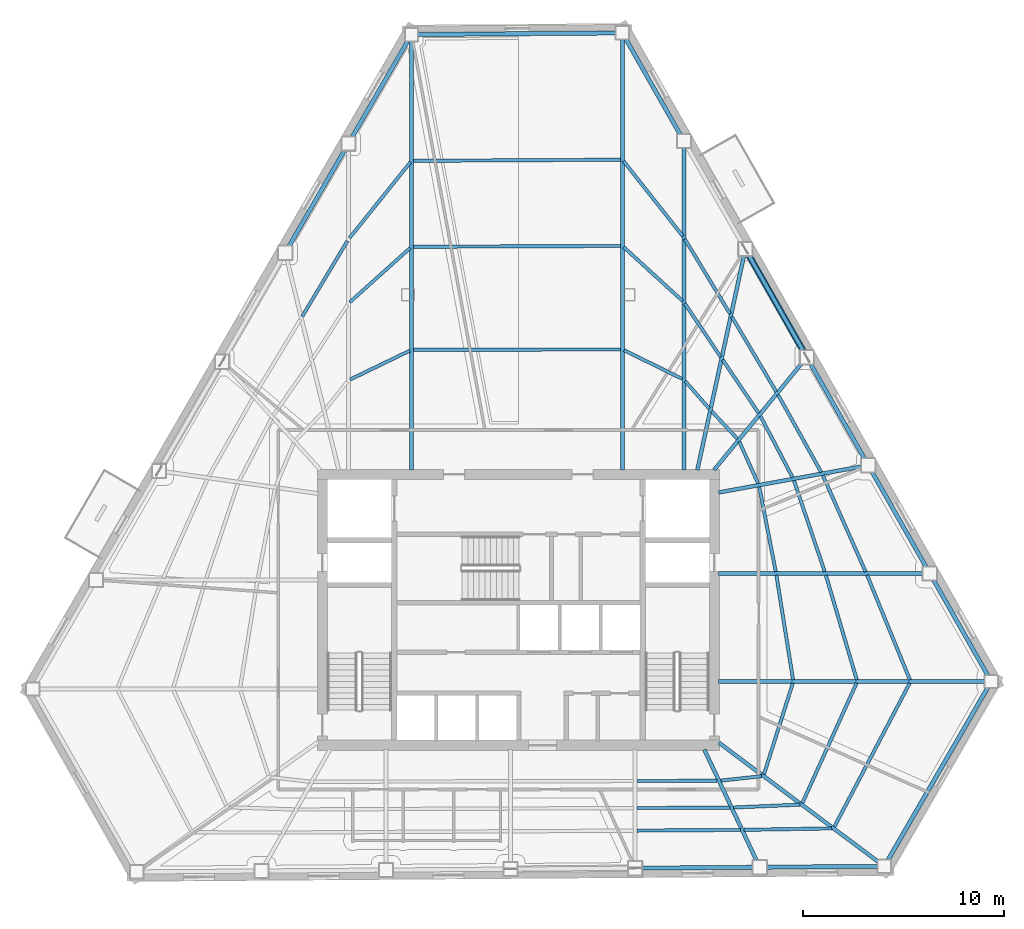
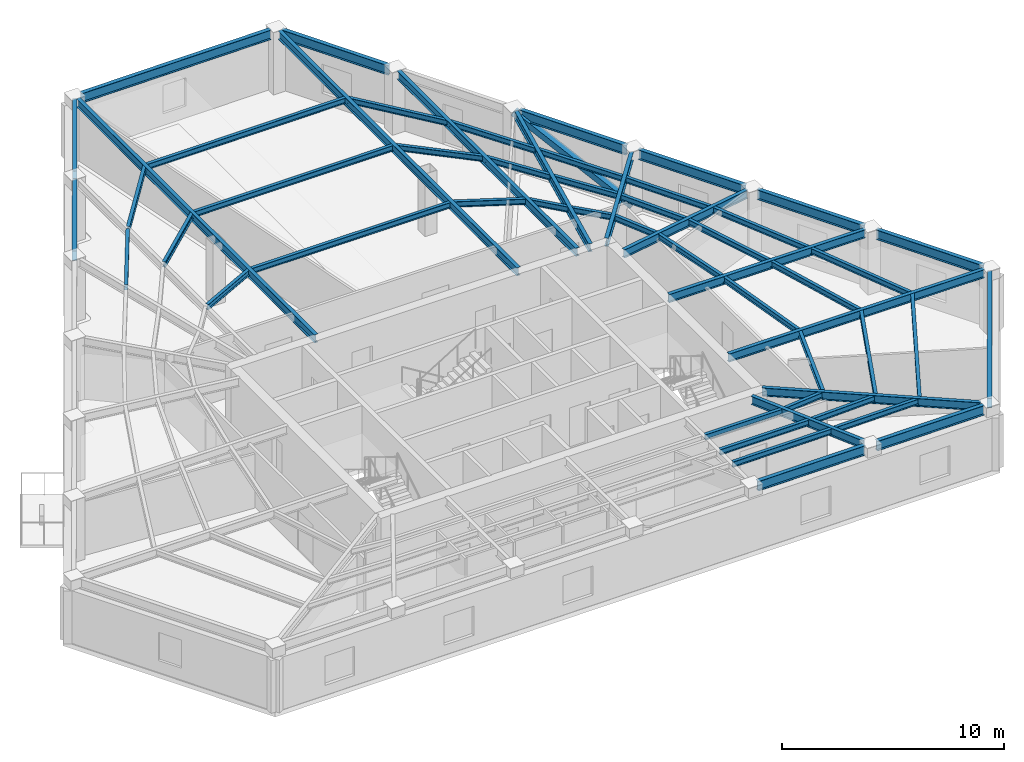
# One storey, part 2 of 10: 55 beams, 1 member.
"""IFC4 building model written with IfcOpenShell, lengths in metres."""

from ifc_helpers import new_model, si_unit, direction, frame, origin, origin_2d, place, context, subcontext, project, spatial, hollow_rectangle, i_section, extrude, material, material_profile, profile_set, type_object, element, save


model = new_model("IFC4")

# Units and contexts
model_context = context("Model", 3, precision=1e-05, world=origin(), true_north=direction((0.0, 1.0)))
body_context = subcontext(model_context, "Body", "Model", "MODEL_VIEW")
ifc_project = project(units=[si_unit("LENGTHUNIT", "METRE"), si_unit("AREAUNIT", "SQUARE_METRE"), si_unit("VOLUMEUNIT", "CUBIC_METRE"), si_unit("PLANEANGLEUNIT", "RADIAN"), si_unit("MASSUNIT", "GRAM", prefix="KILO")], contexts=[model_context])

# Site, building, storey
site_placement = place(None, origin())
site = spatial("IfcSite", under=ifc_project, at=site_placement, CompositionType="ELEMENT")
building_placement = place(site_placement, origin())
building = spatial("IfcBuilding", under=site, at=building_placement, Name="Kavelnor Concourse Tower", CompositionType="ELEMENT")
storey_placement = place(building_placement, frame((0.0, 0.0, 150.949951171875)))
storey = spatial("IfcBuildingStorey", under=building, at=storey_placement, Name="L38", CompositionType="ELEMENT", Elevation=150.949951171875)

# Beams
ifc_material = material(Name="Steel Grade 350", Category="steel")
ifc_material_profile_1 = material_profile(ifc_material, i_section(OverallWidth=0.166015625, OverallDepth=0.306884765625, WebThickness=0.006591796875, FlangeThickness=0.01171875, at=origin_2d()), Name="310UB46")
ifc_profile_set_1 = profile_set([ifc_material_profile_1], Name="Steel Grade 350")
beam_type_1 = type_object("IfcBeamType", Name="BM-JOIST-310", PredefinedType="JOIST", material=ifc_profile_set_1)
beam_1_placement = place(storey_placement, frame((43.905029296875, 7.568115234375, 3.276611328125), z_axis=(0.999996230926, 0.002745566223, 0.0), x_axis=(-0.002745566223, 0.999996230926, 0.0)))
element("IfcBeam", 1, at=beam_1_placement, inside=storey, type_object=beam_type_1, Name="L38 Secondary Composite Joist 06-1", PredefinedType="JOIST", context=body_context, shape_type="SweptSolid", body=[
    extrude(i_section(OverallWidth=0.166015625, OverallDepth=0.306884765625, WebThickness=0.006591796875, FlangeThickness=0.01171875, at=origin_2d()), origin(), (0.0, 0.0, 1.0), 4.00146484375),
])
beam_2_placement = place(storey_placement, frame((43.905029296875, 6.220703125, 3.276611328125), z_axis=(0.999986918876, 0.005114887742, 0.0), x_axis=(-0.005114887742, 0.999986918876, 0.0)))
element("IfcBeam", 2, at=beam_2_placement, inside=storey, type_object=beam_type_1, Name="L38 Secondary Composite Joist 06-2", PredefinedType="JOIST", context=body_context, shape_type="SweptSolid", body=[
    extrude(i_section(OverallWidth=0.166015625, OverallDepth=0.306884765625, WebThickness=0.006591796875, FlangeThickness=0.01171875, at=origin_2d()), origin(), (0.0, 0.0, 1.0), 4.6298828125),
])
beam_3_placement = place(storey_placement, frame((43.905029296875, 5.097900390625, 3.276611328125), z_axis=(0.999978007407, 0.006632096311, 0.0), x_axis=(-0.006632096311, 0.999978007407, 0.0)))
element("IfcBeam", 3, at=beam_3_placement, inside=storey, type_object=beam_type_1, Name="L38 Secondary Composite Joist 06-3", PredefinedType="JOIST", context=body_context, shape_type="SweptSolid", body=[
    extrude(i_section(OverallWidth=0.166015625, OverallDepth=0.306884765625, WebThickness=0.006591796875, FlangeThickness=0.01171875, at=origin_2d()), origin(), (0.0, 0.0, 1.0), 5.153564453125),
])
beam_4_placement = place(storey_placement, frame((48.083984375, 7.5888671875, 3.276611328125), z_axis=(0.994248603544, 0.107096752287, 0.0), x_axis=(-0.107096752287, 0.994248603544, 0.0)))
element("IfcBeam", 4, at=beam_4_placement, inside=storey, type_object=beam_type_1, Name="L38 Secondary Composite Joist 07-1", PredefinedType="JOIST", context=body_context, shape_type="SweptSolid", body=[
    extrude(i_section(OverallWidth=0.166015625, OverallDepth=0.306884765625, WebThickness=0.006591796875, FlangeThickness=0.01171875, at=origin_2d()), origin(), (0.0, 0.0, 1.0), 2.04931640625),
])
beam_5_placement = place(storey_placement, frame((48.712646484375, 6.24853515625, 3.276611328125), z_axis=(0.999075231038, 0.042996310606, 0.0), x_axis=(-0.042996310606, 0.999075231038, 0.0)))
element("IfcBeam", 5, at=beam_5_placement, inside=storey, type_object=beam_type_1, Name="L38 Secondary Composite Joist 07-2", PredefinedType="JOIST", context=body_context, shape_type="SweptSolid", body=[
    extrude(i_section(OverallWidth=0.166015625, OverallDepth=0.306884765625, WebThickness=0.006591796875, FlangeThickness=0.01171875, at=origin_2d()), origin(), (0.0, 0.0, 1.0), 3.316162109375),
])
beam_6_placement = place(storey_placement, frame((49.236572265625, 5.134033203125, 3.276611328125), z_axis=(0.999859040993, 0.016789822669, 0.0), x_axis=(-0.016789822669, 0.999859040993, 0.0)))
element("IfcBeam", 6, at=beam_6_placement, inside=storey, type_object=beam_type_1, Name="L38 Secondary Composite Joist 07-3", PredefinedType="JOIST", context=body_context, shape_type="SweptSolid", body=[
    extrude(i_section(OverallWidth=0.166015625, OverallDepth=0.306884765625, WebThickness=0.006591796875, FlangeThickness=0.01171875, at=origin_2d()), origin(), (0.0, 0.0, 1.0), 4.376953125),
])
beam_7_placement = place(storey_placement, frame((50.23681640625, 7.902587890625, 3.276611328125), z_axis=(0.301393885867, 0.953499724993, 0.0), x_axis=(-0.953499724993, 0.301393885867, 0.0)))
element("IfcBeam", 7, at=beam_7_placement, inside=storey, type_object=beam_type_1, Name="L38 Secondary Composite Joist 08-1", PredefinedType="JOIST", context=body_context, shape_type="SweptSolid", body=[
    extrude(i_section(OverallWidth=0.166015625, OverallDepth=0.306884765625, WebThickness=0.006591796875, FlangeThickness=0.01171875, at=origin_2d()), origin(), (0.0, 0.0, 1.0), 4.76220703125),
])
beam_8_placement = place(storey_placement, frame((52.151123046875, 6.47607421875, 3.276611328125), z_axis=(0.411862234274, 0.911246124809, 0.0), x_axis=(-0.911246124809, 0.411862234274, 0.0)))
element("IfcBeam", 8, at=beam_8_placement, inside=storey, type_object=beam_type_1, Name="L38 Secondary Composite Joist 08-2", PredefinedType="JOIST", context=body_context, shape_type="SweptSolid", body=[
    extrude(i_section(OverallWidth=0.166015625, OverallDepth=0.306884765625, WebThickness=0.006591796875, FlangeThickness=0.01171875, at=origin_2d()), origin(), (0.0, 0.0, 1.0), 6.552490234375),
])
beam_9_placement = place(storey_placement, frame((53.7431640625, 5.287841796875, 3.276611328125), z_axis=(0.464683627726, 0.885476778986, 0.0), x_axis=(-0.885476778986, 0.464683627726, 0.0)))
element("IfcBeam", 9, at=beam_9_placement, inside=storey, type_object=beam_type_1, Name="L38 Secondary Composite Joist 08-3", PredefinedType="JOIST", context=body_context, shape_type="SweptSolid", body=[
    extrude(i_section(OverallWidth=0.166015625, OverallDepth=0.306884765625, WebThickness=0.006591796875, FlangeThickness=0.01171875, at=origin_2d()), origin(), (0.0, 0.0, 1.0), 8.087890625),
])
beam_10_placement = place(storey_placement, frame((51.684814453125, 12.6162109375, 3.276611328125), z_axis=(-0.157288396532, 0.987552712677, 0.0), x_axis=(-0.987552712677, -0.157288396532, 0.0)))
element("IfcBeam", 10, at=beam_10_placement, inside=storey, type_object=beam_type_1, Name="L38 Secondary Composite Joist 09-1", PredefinedType="JOIST", context=body_context, shape_type="SweptSolid", body=[
    extrude(i_section(OverallWidth=0.166015625, OverallDepth=0.306884765625, WebThickness=0.006591796875, FlangeThickness=0.01171875, at=origin_2d()), origin(), (0.0, 0.0, 1.0), 5.27587890625),
])
beam_11_placement = place(storey_placement, frame((54.861083984375, 12.613525390625, 3.276611328125), z_axis=(-0.283573208566, 0.958950590689, 0.0), x_axis=(-0.958950590689, -0.283573208566, 0.0)))
element("IfcBeam", 11, at=beam_11_placement, inside=storey, type_object=beam_type_1, Name="L38 Secondary Composite Joist 09-2", PredefinedType="JOIST", context=body_context, shape_type="SweptSolid", body=[
    extrude(i_section(OverallWidth=0.166015625, OverallDepth=0.306884765625, WebThickness=0.006591796875, FlangeThickness=0.01171875, at=origin_2d()), origin(), (0.0, 0.0, 1.0), 5.4384765625),
])
beam_12_placement = place(storey_placement, frame((57.509033203125, 12.610595703125, 3.276611328125), z_axis=(-0.3789361149, 0.925422833533, 0.0), x_axis=(-0.925422833533, -0.3789361149, 0.0)))
element("IfcBeam", 12, at=beam_12_placement, inside=storey, type_object=beam_type_1, Name="L38 Secondary Composite Joist 09-3", PredefinedType="JOIST", context=body_context, shape_type="SweptSolid", body=[
    extrude(i_section(OverallWidth=0.166015625, OverallDepth=0.306884765625, WebThickness=0.006591796875, FlangeThickness=0.01171875, at=origin_2d()), origin(), (0.0, 0.0, 1.0), 5.641845703125),
])
beam_13_placement = place(storey_placement, frame((50.82421875, 18.001708984375, 3.276611328125), z_axis=(-0.191453013144, 0.981501779804, 0.0), x_axis=(-0.981501779804, -0.191453013144, 0.0)))
element("IfcBeam", 13, at=beam_13_placement, inside=storey, type_object=beam_type_1, Name="L38 Secondary Composite Joist 10-1", PredefinedType="JOIST", context=body_context, shape_type="SweptSolid", body=[
    extrude(i_section(OverallWidth=0.166015625, OverallDepth=0.306884765625, WebThickness=0.006591796875, FlangeThickness=0.01171875, at=origin_2d()), origin(), (0.0, 0.0, 1.0), 4.30126953125),
])
beam_14_placement = place(storey_placement, frame((53.264892578125, 17.99853515625, 3.276611328125), z_axis=(-0.320442870481, 0.947267843199, 0.0), x_axis=(-0.947267843199, -0.320442870481, 0.0)))
element("IfcBeam", 14, at=beam_14_placement, inside=storey, type_object=beam_type_1, Name="L38 Secondary Composite Joist 10-2", PredefinedType="JOIST", context=body_context, shape_type="SweptSolid", body=[
    extrude(i_section(OverallWidth=0.166015625, OverallDepth=0.306884765625, WebThickness=0.006591796875, FlangeThickness=0.01171875, at=origin_2d()), origin(), (0.0, 0.0, 1.0), 4.792236328125),
])
beam_15_placement = place(storey_placement, frame((55.301025390625, 17.99560546875, 3.276611328125), z_axis=(-0.405767892862, 0.913976157852, 0.0), x_axis=(-0.913976157852, -0.405767892862, 0.0)))
element("IfcBeam", 15, at=beam_15_placement, inside=storey, type_object=beam_type_1, Name="L38 Secondary Composite Joist 10-3", PredefinedType="JOIST", context=body_context, shape_type="SweptSolid", body=[
    extrude(i_section(OverallWidth=0.166015625, OverallDepth=0.306884765625, WebThickness=0.006591796875, FlangeThickness=0.01171875, at=origin_2d()), origin(), (0.0, 0.0, 1.0), 5.25732421875),
])
beam_16_placement = place(storey_placement, frame((49.947021484375, 22.391845703125, 3.276611328125), z_axis=(-0.411248800572, 0.911523134116, 0.0), x_axis=(-0.911523134116, -0.411248800572, 0.0)))
element("IfcBeam", 16, at=beam_16_placement, inside=storey, type_object=beam_type_1, Name="L38 Secondary Composite Joist 11-1", PredefinedType="JOIST", context=body_context, shape_type="SweptSolid", body=[
    extrude(i_section(OverallWidth=0.166015625, OverallDepth=0.306884765625, WebThickness=0.006591796875, FlangeThickness=0.01171875, at=origin_2d()), origin(), (0.0, 0.0, 1.0), 2.284423828125),
])
beam_17_placement = place(storey_placement, frame((51.659423828125, 22.701171875, 3.276611328125), z_axis=(-0.464208370656, 0.885726023448, 0.0), x_axis=(-0.885726023448, -0.464208370656, 0.0)))
element("IfcBeam", 17, at=beam_17_placement, inside=storey, type_object=beam_type_1, Name="L38 Secondary Composite Joist 11-2", PredefinedType="JOIST", context=body_context, shape_type="SweptSolid", body=[
    extrude(i_section(OverallWidth=0.166015625, OverallDepth=0.306884765625, WebThickness=0.006591796875, FlangeThickness=0.01171875, at=origin_2d()), origin(), (0.0, 0.0, 1.0), 3.442626953125),
])
beam_18_placement = place(storey_placement, frame((53.088134765625, 22.959716796875, 3.276611328125), z_axis=(-0.487379892553, 0.873190036782, 0.0), x_axis=(-0.873190036782, -0.487379892553, 0.0)))
element("IfcBeam", 18, at=beam_18_placement, inside=storey, type_object=beam_type_1, Name="L38 Secondary Composite Joist 11-3", PredefinedType="JOIST", context=body_context, shape_type="SweptSolid", body=[
    extrude(i_section(OverallWidth=0.166015625, OverallDepth=0.306884765625, WebThickness=0.006591796875, FlangeThickness=0.01171875, at=origin_2d()), origin(), (0.0, 0.0, 1.0), 4.4130859375),
])
beam_19_placement = place(storey_placement, frame((48.910400390625, 24.620361328125, 3.276611328125), z_axis=(-0.682063669756, 0.731292793892, 0.0), x_axis=(-0.731292793892, -0.682063669756, 0.0)))
element("IfcBeam", 19, at=beam_19_placement, inside=storey, type_object=beam_type_1, Name="L38 Secondary Composite Joist 12-1", PredefinedType="JOIST", context=body_context, shape_type="SweptSolid", body=[
    extrude(i_section(OverallWidth=0.166015625, OverallDepth=0.306884765625, WebThickness=0.006591796875, FlangeThickness=0.01171875, at=origin_2d()), origin(), (0.0, 0.0, 1.0), 1.879638671875),
])
beam_20_placement = place(storey_placement, frame((49.969970703125, 25.903076171875, 3.276611328125), z_axis=(-0.560070956375, 0.828444641377, 0.0), x_axis=(-0.828444641377, -0.560070956375, 0.0)))
element("IfcBeam", 20, at=beam_20_placement, inside=storey, type_object=beam_type_1, Name="L38 Secondary Composite Joist 12-2", PredefinedType="JOIST", context=body_context, shape_type="SweptSolid", body=[
    extrude(i_section(OverallWidth=0.166015625, OverallDepth=0.306884765625, WebThickness=0.006591796875, FlangeThickness=0.01171875, at=origin_2d()), origin(), (0.0, 0.0, 1.0), 3.203125),
])
beam_21_placement = place(storey_placement, frame((50.848388671875, 26.967529296875, 3.276611328125), z_axis=(-0.510091052088, 0.86012040935, 0.0), x_axis=(-0.86012040935, -0.510091052088, 0.0)))
element("IfcBeam", 21, at=beam_21_placement, inside=storey, type_object=beam_type_1, Name="L38 Secondary Composite Joist 12-3", PredefinedType="JOIST", context=body_context, shape_type="SweptSolid", body=[
    extrude(i_section(OverallWidth=0.166015625, OverallDepth=0.306884765625, WebThickness=0.006591796875, FlangeThickness=0.01171875, at=origin_2d()), origin(), (0.0, 0.0, 1.0), 4.3349609375),
])
beam_22_placement = place(storey_placement, frame((47.5087890625, 26.126708984375, 3.276611328125), z_axis=(-0.659213873393, 0.751955496773, 0.0), x_axis=(-0.751955496773, -0.659213873393, 0.0)))
element("IfcBeam", 22, at=beam_22_placement, inside=storey, type_object=beam_type_1, Name="L38 Secondary Composite Joist 13-1", PredefinedType="JOIST", context=body_context, shape_type="SweptSolid", body=[
    extrude(i_section(OverallWidth=0.166015625, OverallDepth=0.306884765625, WebThickness=0.006591796875, FlangeThickness=0.01171875, at=origin_2d()), origin(), (0.0, 0.0, 1.0), 1.826904296875),
])
beam_23_placement = place(storey_placement, frame((48.07666015625, 28.704345703125, 3.276611328125), z_axis=(-0.557412371482, 0.830235778631, 0.0), x_axis=(-0.830235778631, -0.557412371482, 0.0)))
element("IfcBeam", 23, at=beam_23_placement, inside=storey, type_object=beam_type_1, Name="L38 Secondary Composite Joist 13-2", PredefinedType="JOIST", context=body_context, shape_type="SweptSolid", body=[
    extrude(i_section(OverallWidth=0.166015625, OverallDepth=0.306884765625, WebThickness=0.006591796875, FlangeThickness=0.01171875, at=origin_2d()), origin(), (0.0, 0.0, 1.0), 3.195556640625),
])
beam_24_placement = place(storey_placement, frame((48.545654296875, 30.8486328125, 3.276611328125), z_axis=(-0.517534861142, 0.855662122279, 0.0), x_axis=(-0.855662122279, -0.517534861142, 0.0)))
element("IfcBeam", 24, at=beam_24_placement, inside=storey, type_object=beam_type_1, Name="L38 Secondary Composite Joist 13-3", PredefinedType="JOIST", context=body_context, shape_type="SweptSolid", body=[
    extrude(i_section(OverallWidth=0.166015625, OverallDepth=0.306884765625, WebThickness=0.006591796875, FlangeThickness=0.01171875, at=origin_2d()), origin(), (0.0, 0.0, 1.0), 4.3544921875),
])
beam_25_placement = place(storey_placement, frame((46.166015625, 27.60693359375, 3.276611328125), z_axis=(-0.897171135934, 0.441683090969, 0.0), x_axis=(-0.441683090969, -0.897171135934, 0.0)))
element("IfcBeam", 25, at=beam_25_placement, inside=storey, type_object=beam_type_1, Name="L38 Secondary Composite Joist 14-1", PredefinedType="JOIST", context=body_context, shape_type="SweptSolid", body=[
    extrude(i_section(OverallWidth=0.166015625, OverallDepth=0.306884765625, WebThickness=0.006591796875, FlangeThickness=0.01171875, at=origin_2d()), origin(), (0.0, 0.0, 1.0), 3.236328125),
])
beam_26_placement = place(storey_placement, frame((46.18017578125, 31.4912109375, 3.276611328125), z_axis=(-0.738018318855, 0.674780676245, 0.0), x_axis=(-0.674780676245, -0.738018318855, 0.0)))
element("IfcBeam", 26, at=beam_26_placement, inside=storey, type_object=beam_type_1, Name="L38 Secondary Composite Joist 14-2", PredefinedType="JOIST", context=body_context, shape_type="SweptSolid", body=[
    extrude(i_section(OverallWidth=0.166015625, OverallDepth=0.306884765625, WebThickness=0.006591796875, FlangeThickness=0.01171875, at=origin_2d()), origin(), (0.0, 0.0, 1.0), 3.97265625),
])
beam_27_placement = place(storey_placement, frame((46.190673828125, 34.720703125, 3.276611328125), z_axis=(-0.619851972438, 0.78471875998, 0.0), x_axis=(-0.78471875998, -0.619851972438, 0.0)))
element("IfcBeam", 27, at=beam_27_placement, inside=storey, type_object=beam_type_1, Name="L38 Secondary Composite Joist 14-3", PredefinedType="JOIST", context=body_context, shape_type="SweptSolid", body=[
    extrude(i_section(OverallWidth=0.166015625, OverallDepth=0.306884765625, WebThickness=0.006591796875, FlangeThickness=0.01171875, at=origin_2d()), origin(), (0.0, 0.0, 1.0), 4.763916015625),
])
for number, where, z_axis, x_axis, name in (
    (28, (43.093505859375, 29.075439453125, 3.276611328125), (-0.999997788547, -0.002103069618, 0.0), (0.002103069618, -0.999997788547, 0.0), "L38 Secondary Composite Joist 15-1"),
    (29, (43.093505859375, 34.231689453125, 3.276611328125), (-0.999992306741, -0.003922557785, 0.0), (0.003922557785, -0.999992306741, 0.0), "L38 Secondary Composite Joist 15-2"),
):
    element("IfcBeam", number, at=place(storey_placement, frame(where, z_axis=z_axis, x_axis=x_axis)), inside=storey, type_object=beam_type_1, Name=name, PredefinedType="JOIST", context=body_context, shape_type="SweptSolid", body=[
        extrude(i_section(OverallWidth=0.166015625, OverallDepth=0.306884765625, WebThickness=0.006591796875, FlangeThickness=0.01171875, at=origin_2d()), origin(), (0.0, 0.0, 1.0), 10.331787109375),
    ])
beam_28_placement = place(storey_placement, frame((43.093505859375, 38.5283203125, 3.276611328125), z_axis=(-0.999985231198, -0.005434830766, 0.0), x_axis=(0.005434830766, -0.999985231198, 0.0)))
element("IfcBeam", 30, at=beam_28_placement, inside=storey, type_object=beam_type_1, Name="L38 Secondary Composite Joist 15-3", PredefinedType="JOIST", context=body_context, shape_type="SweptSolid", body=[
    extrude(i_section(OverallWidth=0.166015625, OverallDepth=0.306884765625, WebThickness=0.006591796875, FlangeThickness=0.01171875, at=origin_2d()), origin(), (0.0, 0.0, 1.0), 10.33203125),
])
beam_29_placement = place(storey_placement, frame((32.592529296875, 29.0146484375, 3.276611328125), z_axis=(-0.900181595856, -0.435514746572, 0.0), x_axis=(0.435514746572, -0.900181595856, 0.0)))
element("IfcBeam", 31, at=beam_29_placement, inside=storey, type_object=beam_type_1, Name="L38 Secondary Composite Joist 16-1", PredefinedType="JOIST", context=body_context, shape_type="SweptSolid", body=[
    extrude(i_section(OverallWidth=0.166015625, OverallDepth=0.306884765625, WebThickness=0.006591796875, FlangeThickness=0.01171875, at=origin_2d()), origin(), (0.0, 0.0, 1.0), 3.31640625),
])
beam_30_placement = place(storey_placement, frame((32.6064453125, 34.131103515625, 3.276611328125), z_axis=(-0.743887258133, -0.668305130301, 0.0), x_axis=(0.668305130301, -0.743887258133, 0.0)))
element("IfcBeam", 32, at=beam_30_placement, inside=storey, type_object=beam_type_1, Name="L38 Secondary Composite Joist 16-2", PredefinedType="JOIST", context=body_context, shape_type="SweptSolid", body=[
    extrude(i_section(OverallWidth=0.166015625, OverallDepth=0.306884765625, WebThickness=0.006591796875, FlangeThickness=0.01171875, at=origin_2d()), origin(), (0.0, 0.0, 1.0), 4.050537109375),
])
beam_31_placement = place(storey_placement, frame((32.616943359375, 38.40234375, 3.276611328125), z_axis=(-0.626507072466, -0.779415735119, 0.0), x_axis=(0.779415735119, -0.626507072466, 0.0)))
element("IfcBeam", 33, at=beam_31_placement, inside=storey, type_object=beam_type_1, Name="L38 Secondary Composite Joist 16-3", PredefinedType="JOIST", context=body_context, shape_type="SweptSolid", body=[
    extrude(i_section(OverallWidth=0.166015625, OverallDepth=0.306884765625, WebThickness=0.006591796875, FlangeThickness=0.01171875, at=origin_2d()), origin(), (0.0, 0.0, 1.0), 4.842529296875),
])
beam_32_placement = place(storey_placement, frame((29.481201171875, 34.482177734375, 3.276611328125), z_axis=(-0.514168211795, -0.857689366833, 0.0), x_axis=(0.857689366833, -0.514168211795, 0.0)))
element("IfcBeam", 34, at=beam_32_placement, inside=storey, type_object=beam_type_1, Name="L38 Secondary Composite Joist 17-3", PredefinedType="JOIST", context=body_context, shape_type="SweptSolid", body=[
    extrude(i_section(OverallWidth=0.166015625, OverallDepth=0.306884765625, WebThickness=0.006591796875, FlangeThickness=0.01171875, at=origin_2d()), origin(), (0.0, 0.0, 1.0), 4.385009765625),
])
ifc_material_profile_2 = material_profile(ifc_material, i_section(OverallWidth=0.18994140625, OverallDepth=0.4541015625, WebThickness=0.008544921875, FlangeThickness=0.0126953125, at=origin_2d()), Name="460UB67")
ifc_profile_set_2 = profile_set([ifc_material_profile_2], Name="Steel Grade 350")
beam_type_2 = type_object("IfcBeamType", Name="BM-PRIMARY-460", PredefinedType="BEAM", material=ifc_profile_set_2)
beam_33_placement = place(storey_placement, frame((32.672607421875, 23.06005859375, 3.203125), z_axis=(0.0, 1.0, 0.0), x_axis=(-1.0, 0.0, 0.0)))
element("IfcBeam", 35, at=beam_33_placement, inside=storey, type_object=beam_type_2, Name="L38 Primary Floor Girder F0-B0", PredefinedType="BEAM", context=body_context, shape_type="SweptSolid", body=[
    extrude(i_section(OverallWidth=0.18994140625, OverallDepth=0.4541015625, WebThickness=0.008544921875, FlangeThickness=0.0126953125, at=origin_2d()), origin(), (0.0, 0.0, 1.0), 21.405029296875),
])
beam_34_placement = place(storey_placement, frame((47.26220703125, 9.13623046875, 3.203125), z_axis=(0.426020840587, -0.904713348738, 0.0), x_axis=(0.904713348738, 0.426020840587, 0.0)))
element("IfcBeam", 36, at=beam_34_placement, inside=storey, type_object=beam_type_2, Name="L38 Primary Floor Girder F1-B5", PredefinedType="BEAM", context=body_context, shape_type="SweptSolid", body=[
    extrude(i_section(OverallWidth=0.18994140625, OverallDepth=0.4541015625, WebThickness=0.008544921875, FlangeThickness=0.0126953125, at=origin_2d()), origin(), (0.0, 0.0, 1.0), 6.146240234375),
])
beam_35_placement = place(storey_placement, frame((47.988037109375, 9.47802734375, 3.203125), z_axis=(0.801087042333, -0.598547868266, 0.0), x_axis=(0.598547868266, 0.801087042333, 0.0)))
element("IfcBeam", 37, at=beam_35_placement, inside=storey, type_object=beam_type_2, Name="L38 Primary Floor Girder F1-B6", PredefinedType="BEAM", context=body_context, shape_type="SweptSolid", body=[
    extrude(i_section(OverallWidth=0.18994140625, OverallDepth=0.4541015625, WebThickness=0.008544921875, FlangeThickness=0.0126953125, at=origin_2d()), origin(), (0.0, 0.0, 1.0), 9.906005859375),
])
beam_36_placement = place(storey_placement, frame((47.97998046875, 12.5283203125, 3.203125), z_axis=(1.0, 0.0, 0.0), x_axis=(0.0, 1.0, 0.0)))
element("IfcBeam", 38, at=beam_36_placement, inside=storey, type_object=beam_type_2, Name="L38 Primary Floor Girder F2-B0", PredefinedType="BEAM", context=body_context, shape_type="SweptSolid", body=[
    extrude(i_section(OverallWidth=0.18994140625, OverallDepth=0.4541015625, WebThickness=0.008544921875, FlangeThickness=0.0126953125, at=origin_2d()), origin(), (0.0, 0.0, 1.0), 13.28173828125),
])
beam_37_placement = place(storey_placement, frame((47.97998046875, 17.914306640625, 3.203125), z_axis=(1.0, 0.0, 0.0), x_axis=(0.0, 1.0, 0.0)))
element("IfcBeam", 39, at=beam_37_placement, inside=storey, type_object=beam_type_2, Name="L38 Primary Floor Girder F2-B1", PredefinedType="BEAM", context=body_context, shape_type="SweptSolid", body=[
    extrude(i_section(OverallWidth=0.18994140625, OverallDepth=0.4541015625, WebThickness=0.008544921875, FlangeThickness=0.0126953125, at=origin_2d()), origin(), (0.0, 0.0, 1.0), 10.218505859375),
])
beam_38_placement = place(storey_placement, frame((47.980712890625, 21.947021484375, 3.203125), z_axis=(0.983921980658, 0.178598812924, 0.0), x_axis=(-0.178598812924, 0.983921980658, 0.0)))
element("IfcBeam", 40, at=beam_38_placement, inside=storey, type_object=beam_type_2, Name="L38 Primary Floor Girder F2-B2", PredefinedType="BEAM", context=body_context, shape_type="SweptSolid", body=[
    extrude(i_section(OverallWidth=0.18994140625, OverallDepth=0.4541015625, WebThickness=0.008544921875, FlangeThickness=0.0126953125, at=origin_2d()), origin(), (0.0, 0.0, 1.0), 7.27099609375),
])
beam_39_placement = place(storey_placement, frame((47.747314453125, 23.069091796875, 3.203125), z_axis=(0.63561888273, 0.772003002531, 0.0), x_axis=(-0.772003002531, 0.63561888273, 0.0)))
element("IfcBeam", 41, at=beam_39_placement, inside=storey, type_object=beam_type_2, Name="L38 Primary Floor Girder F2-B3", PredefinedType="BEAM", context=body_context, shape_type="SweptSolid", body=[
    extrude(i_section(OverallWidth=0.18994140625, OverallDepth=0.4541015625, WebThickness=0.008544921875, FlangeThickness=0.0126953125, at=origin_2d()), origin(), (0.0, 0.0, 1.0), 6.875732421875),
])
beam_40_placement = place(storey_placement, frame((46.915771484375, 23.060791015625, 3.203125), z_axis=(0.212362137747, 0.977191036825, 0.0), x_axis=(-0.977191036825, 0.212362137747, 0.0)))
element("IfcBeam", 42, at=beam_40_placement, inside=storey, type_object=beam_type_2, Name="L38 Primary Floor Girder F2-B4", PredefinedType="BEAM", context=body_context, shape_type="SweptSolid", body=[
    extrude(i_section(OverallWidth=0.18994140625, OverallDepth=0.4541015625, WebThickness=0.008544921875, FlangeThickness=0.0126953125, at=origin_2d()), origin(), (0.0, 0.0, 1.0), 10.960693359375),
])
beam_41_placement = place(storey_placement, frame((46.245849609375, 23.06005859375, 3.203125), z_axis=(0.0, 1.0, 0.0), x_axis=(-1.0, 0.0, 0.0)))
element("IfcBeam", 43, at=beam_41_placement, inside=storey, type_object=beam_type_2, Name="L38 Primary Floor Girder F2-B5", PredefinedType="BEAM", context=body_context, shape_type="SweptSolid", body=[
    extrude(i_section(OverallWidth=0.18994140625, OverallDepth=0.4541015625, WebThickness=0.008544921875, FlangeThickness=0.0126953125, at=origin_2d()), origin(), (0.0, 0.0, 1.0), 16.098388671875),
])
beam_42_placement = place(storey_placement, frame((43.1826171875, 23.06005859375, 3.203125), z_axis=(0.0, 1.0, 0.0), x_axis=(-1.0, 0.0, 0.0)))
element("IfcBeam", 44, at=beam_42_placement, inside=storey, type_object=beam_type_2, Name="L38 Primary Floor Girder F2-B6", PredefinedType="BEAM", context=body_context, shape_type="SweptSolid", body=[
    extrude(i_section(OverallWidth=0.18994140625, OverallDepth=0.4541015625, WebThickness=0.008544921875, FlangeThickness=0.0126953125, at=origin_2d()), origin(), (0.0, 0.0, 1.0), 21.484375),
])
ifc_material_profile_3 = material_profile(ifc_material, i_section(OverallWidth=0.208984375, OverallDepth=0.532958984375, WebThickness=0.01025390625, FlangeThickness=0.015625, at=origin_2d()), Name="530UB92")
ifc_profile_set_3 = profile_set([ifc_material_profile_3], Name="Steel Grade 350")
beam_type_3 = type_object("IfcBeamType", Name="BM-SPANDREL-Z2", PredefinedType="SPANDREL", material=ifc_profile_set_3)
beam_43_placement = place(storey_placement, frame((32.52001953125, 44.501220703125, 3.16357421875), z_axis=(-0.500931025961, -0.865487208011, 0.0), x_axis=(0.865487208011, -0.500931025961, 0.0)))
element("IfcBeam", 45, at=beam_43_placement, inside=storey, type_object=beam_type_3, Name="L38 Perimeter Tube Spandrel Beam F0-B0", PredefinedType="SPANDREL", context=body_context, shape_type="SweptSolid", body=[
    extrude(i_section(OverallWidth=0.208984375, OverallDepth=0.532958984375, WebThickness=0.01025390625, FlangeThickness=0.015625, at=origin_2d()), origin(), (0.0, 0.0, 1.0), 5.669677734375),
])
beam_44_placement = place(storey_placement, frame((29.374267578125, 39.066162109375, 3.16357421875), z_axis=(-0.50089876914, -0.865505876973, 0.0), x_axis=(0.865505876973, -0.50089876914, 0.0)))
element("IfcBeam", 46, at=beam_44_placement, inside=storey, type_object=beam_type_3, Name="L38 Perimeter Tube Spandrel Beam F0-B1", PredefinedType="SPANDREL", context=body_context, shape_type="SweptSolid", body=[
    extrude(i_section(OverallWidth=0.208984375, OverallDepth=0.532958984375, WebThickness=0.01025390625, FlangeThickness=0.015625, at=origin_2d()), origin(), (0.0, 0.0, 1.0), 5.66943359375),
])
beam_45_placement = place(storey_placement, frame((42.877685546875, 44.84228515625, 3.16357421875), z_axis=(-0.999971528353, -0.007546024357, 0.0), x_axis=(0.007546024357, -0.999971528353, 0.0)))
element("IfcBeam", 47, at=beam_45_placement, inside=storey, type_object=beam_type_3, Name="L38 Chamfer Facet Spandrel Beam C0", PredefinedType="SPANDREL", context=body_context, shape_type="SweptSolid", body=[
    extrude(i_section(OverallWidth=0.208984375, OverallDepth=0.532958984375, WebThickness=0.01025390625, FlangeThickness=0.015625, at=origin_2d()), origin(), (0.0, 0.0, 1.0), 9.900146484375),
])
beam_46_placement = place(storey_placement, frame((44.12109375, 3.227294921875, 3.16357421875), z_axis=(0.999971534991, 0.007545144607, 0.0), x_axis=(-0.007545144607, 0.999971534991, 0.0)))
element("IfcBeam", 48, at=beam_46_placement, inside=storey, type_object=beam_type_3, Name="L38 Perimeter Tube Spandrel Beam F1-B4", PredefinedType="SPANDREL", context=body_context, shape_type="SweptSolid", body=[
    extrude(i_section(OverallWidth=0.208984375, OverallDepth=0.532958984375, WebThickness=0.01025390625, FlangeThickness=0.015625, at=origin_2d()), origin(), (0.0, 0.0, 1.0), 5.597900390625),
])
beam_47_placement = place(storey_placement, frame((50.328857421875, 3.274169921875, 3.16357421875), z_axis=(0.999971537474, 0.00754481556, 0.0), x_axis=(-0.00754481556, 0.999971537474, 0.0)))
element("IfcBeam", 49, at=beam_47_placement, inside=storey, type_object=beam_type_3, Name="L38 Perimeter Tube Spandrel Beam F1-B5", PredefinedType="SPANDREL", context=body_context, shape_type="SweptSolid", body=[
    extrude(i_section(OverallWidth=0.208984375, OverallDepth=0.532958984375, WebThickness=0.01025390625, FlangeThickness=0.015625, at=origin_2d()), origin(), (0.0, 0.0, 1.0), 5.59814453125),
])
beam_48_placement = place(storey_placement, frame((61.410888671875, 12.793212890625, 3.16357421875), z_axis=(-0.494368272735, 0.869252558761, 0.0), x_axis=(-0.869252558761, -0.494368272735, 0.0)))
element("IfcBeam", 50, at=beam_48_placement, inside=storey, type_object=beam_type_3, Name="L38 Perimeter Tube Spandrel Beam F2-B0", PredefinedType="SPANDREL", context=body_context, shape_type="SweptSolid", body=[
    extrude(i_section(OverallWidth=0.208984375, OverallDepth=0.532958984375, WebThickness=0.01025390625, FlangeThickness=0.015625, at=origin_2d()), origin(), (0.0, 0.0, 1.0), 5.58642578125),
])
beam_49_placement = place(storey_placement, frame((58.34765625, 18.17919921875, 3.16357421875), z_axis=(-0.494335249682, 0.869271339066, 0.0), x_axis=(-0.869271339066, -0.494335249682, 0.0)))
element("IfcBeam", 51, at=beam_49_placement, inside=storey, type_object=beam_type_3, Name="L38 Perimeter Tube Spandrel Beam F2-B1", PredefinedType="SPANDREL", context=body_context, shape_type="SweptSolid", body=[
    extrude(i_section(OverallWidth=0.208984375, OverallDepth=0.532958984375, WebThickness=0.01025390625, FlangeThickness=0.015625, at=origin_2d()), origin(), (0.0, 0.0, 1.0), 5.586181640625),
])
beam_50_placement = place(storey_placement, frame((55.284423828125, 23.5654296875, 3.16357421875), z_axis=(-0.494354030364, 0.869260658642, 0.0), x_axis=(-0.869260658642, -0.494354030364, 0.0)))
element("IfcBeam", 52, at=beam_50_placement, inside=storey, type_object=beam_type_3, Name="L38 Perimeter Tube Spandrel Beam F2-B2", PredefinedType="SPANDREL", context=body_context, shape_type="SweptSolid", body=[
    extrude(i_section(OverallWidth=0.208984375, OverallDepth=0.532958984375, WebThickness=0.01025390625, FlangeThickness=0.015625, at=origin_2d()), origin(), (0.0, 0.0, 1.0), 5.5859375),
])
for number, where, z_axis, x_axis, name in (
    (53, (52.22119140625, 28.951416015625, 3.16357421875), (-0.494335249682, 0.869271339066, 0.0), (-0.869271339066, -0.494335249682, 0.0), "L38 Perimeter Tube Spandrel Beam F2-B3"),
    (54, (46.094970703125, 39.723388671875, 3.16357421875), (-0.494335249682, 0.869271339066, 0.0), (-0.869271339066, -0.494335249682, 0.0), "L38 Perimeter Tube Spandrel Beam F2-B5"),
):
    element("IfcBeam", number, at=place(storey_placement, frame(where, z_axis=z_axis, x_axis=x_axis)), inside=storey, type_object=beam_type_3, Name=name, PredefinedType="SPANDREL", context=body_context, shape_type="SweptSolid", body=[
        extrude(i_section(OverallWidth=0.208984375, OverallDepth=0.532958984375, WebThickness=0.01025390625, FlangeThickness=0.015625, at=origin_2d()), origin(), (0.0, 0.0, 1.0), 5.586181640625),
    ])
beam_51_placement = place(storey_placement, frame((56.384521484375, 3.582763671875, 3.16357421875), z_axis=(0.500894263233, 0.865508484684, 0.0), x_axis=(-0.865508484684, 0.500894263233, 0.0)))
element("IfcBeam", 55, at=beam_51_placement, inside=storey, type_object=beam_type_3, Name="L38 Chamfer Facet Spandrel Beam C2", PredefinedType="SPANDREL", context=body_context, shape_type="SweptSolid", body=[
    extrude(i_section(OverallWidth=0.208984375, OverallDepth=0.532958984375, WebThickness=0.01025390625, FlangeThickness=0.015625, at=origin_2d()), origin(), (0.0, 0.0, 1.0), 10.030517578125),
])

# Member
ifc_material_profile_4 = material_profile(ifc_material, hollow_rectangle(XDim=0.320068359375, YDim=0.320068359375, WallThickness=0.01806640625, at=origin_2d()), Name="SHS 320x320x18")
ifc_profile_set_4 = profile_set([ifc_material_profile_4], Name="Steel Grade 350")
member_type = type_object("IfcMemberType", Name="MBR-TUBE-DIAG-Z2", PredefinedType="BRACE", material=ifc_profile_set_4)
member_placement = place(storey_placement, frame((52.3720703125, 28.686279296875, 0.219970703125), z_axis=(-0.446534991226, 0.785164180794, 0.429096388715), x_axis=(-0.869257252602, -0.494360019418, 0.0)))
element("IfcMember", 56, at=member_placement, inside=storey, type_object=member_type, Name="L38 Framed-Tube Bracing Diagonal F2-B3", PredefinedType="BRACE", context=body_context, shape_type="SweptSolid", body=[
    extrude(hollow_rectangle(XDim=0.320068359375, YDim=0.320068359375, WallThickness=0.01806640625, at=origin_2d()), origin(), (0.0, 0.0, 1.0), 6.860107421875),
])

save(model, "model.ifc")
